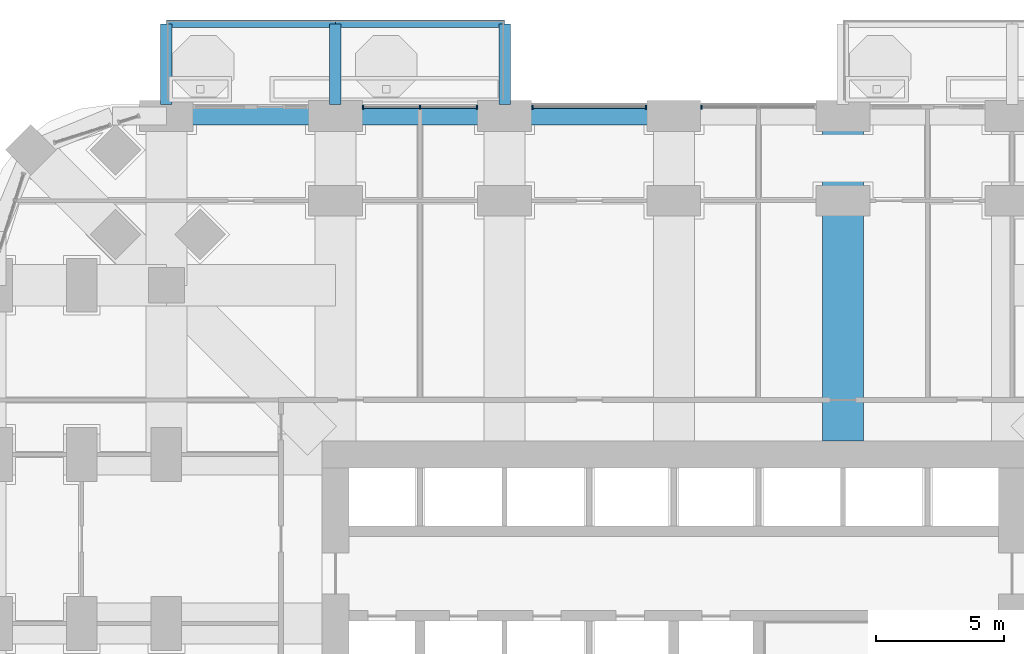
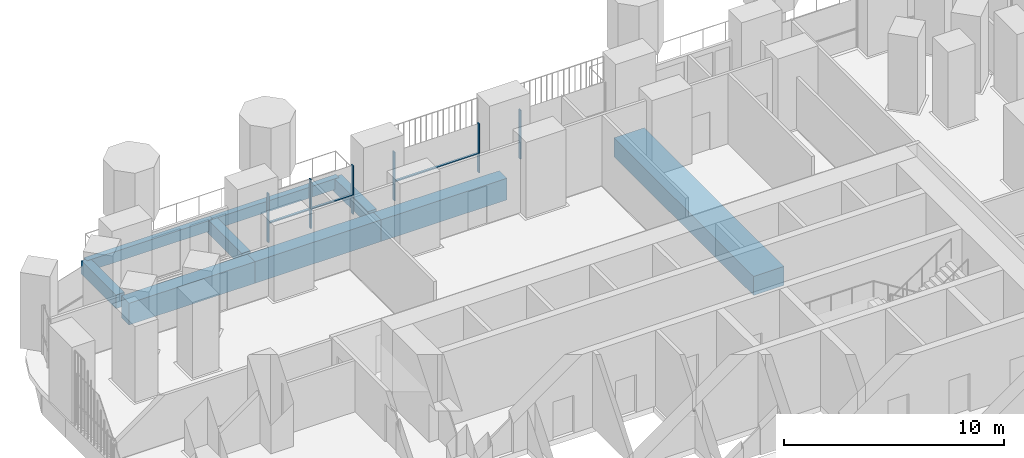
# One storey, part 8 of 27: 9 beams, 9 members, 3 elements without a shape of their own.
"""IFC4 building model written with IfcOpenShell, lengths in metres."""

import ifcopenshell
import ifcopenshell.guid

model = None  # the IFC model being written
_history = None  # IfcOwnerHistory: only IFC2X3 demands one
_inside = {}  # id of a spatial element -> (the spatial element, [elements in it])
_under = {}  # id of a project, library or spatial element -> (it, [spatial elements below it])
_declared = {}  # id of a project -> (the project, [libraries it declares])
_typed = {}  # id of a type object -> (the type object, [elements of that type])
_made_of = {}  # id of a material, layer set ... -> (it, [elements and type objects made of it])


def new_model(schema):
    """Start an empty IFC model of exactly this schema.

    Asked for "IFC4X3", IfcOpenShell would pick the latest addendum, in which some entities
    have other attributes; the version numbers below select the first issue.
    IFC2X3 requires an IfcOwnerHistory on every rooted entity: one is made here for all.
    """
    global model, _history
    if schema == "IFC4X3":
        model = ifcopenshell.file(schema_version=(4, 3, 0, 0))
    else:
        model = ifcopenshell.file(schema=schema)
    _inside.clear()
    _under.clear()
    _declared.clear()
    _typed.clear()
    _made_of.clear()
    _history = None
    if model.schema == "IFC2X3":
        org = make("IfcOrganization", Name="unknown")
        user = make(
            "IfcPersonAndOrganization",
            ThePerson=make("IfcPerson", FamilyName="unknown"),
            TheOrganization=org,
        )
        app = make(
            "IfcApplication",
            ApplicationDeveloper=org,
            Version="unknown",
            ApplicationFullName="unknown",
            ApplicationIdentifier="unknown",
        )
        _history = make(
            "IfcOwnerHistory",
            OwningUser=user,
            OwningApplication=app,
            ChangeAction="ADDED",
            CreationDate=0,
        )
    return model


def make(cls, **values):
    """One entity of the class cls with the attributes given. An attribute that is None is left unset."""
    return model.create_entity(
        cls, **{name: value for name, value in values.items() if value is not None}
    )


def rooted(cls, **values):
    """An entity with a GlobalId (a new one), such as an element, a storey or a relation."""
    return make(cls, GlobalId=ifcopenshell.guid.new(), OwnerHistory=_history, **values)


def si_unit(unit_type, name, prefix=None):
    """IfcSIUnit, for example si_unit("LENGTHUNIT", "METRE", prefix="MILLI")."""
    return make("IfcSIUnit", UnitType=unit_type, Prefix=prefix, Name=name)


def assignment(units):
    """IfcUnitAssignment: the units of a project."""
    return None if units is None else make("IfcUnitAssignment", Units=units)


def point(xyz):
    """IfcCartesianPoint."""
    return None if xyz is None else make("IfcCartesianPoint", Coordinates=xyz)


def direction(xyz):
    """IfcDirection."""
    return None if xyz is None else make("IfcDirection", DirectionRatios=xyz)


def frame(location, z_axis=None, x_axis=None):
    """IfcAxis2Placement3D, a coordinate frame: its origin and axes. An axis left out is left unset."""
    return make(
        "IfcAxis2Placement3D",
        Location=point(location),
        Axis=direction(z_axis),
        RefDirection=direction(x_axis),
    )


def frame_2d(location, x_axis=None):
    """IfcAxis2Placement2D, a coordinate frame in the plane: its origin and x axis."""
    return make(
        "IfcAxis2Placement2D", Location=point(location), RefDirection=direction(x_axis)
    )


def origin():
    """The frame at (0, 0, 0) with its axes left unset."""
    return frame((0.0, 0.0, 0.0))


def origin_2d():
    """The frame at (0, 0) in the plane with its x axis left unset."""
    return frame_2d((0.0, 0.0))


def place(relative_to, where):
    """IfcLocalPlacement: puts the frame where relative to a parent placement (None: the world)."""
    return make(
        "IfcLocalPlacement", PlacementRelTo=relative_to, RelativePlacement=where
    )


def context(
    kind, dimensions, precision=None, world=None, true_north=None, identifier=None
):
    """IfcGeometricRepresentationContext, for example the 3D "Model" context."""
    return make(
        "IfcGeometricRepresentationContext",
        ContextIdentifier=identifier,
        ContextType=kind,
        CoordinateSpaceDimension=dimensions,
        Precision=precision,
        WorldCoordinateSystem=world,
        TrueNorth=true_north,
    )


def subcontext(parent, identifier, kind, view, scale=None):
    """IfcGeometricRepresentationSubContext, for example "Body" below "Model"."""
    return make(
        "IfcGeometricRepresentationSubContext",
        ContextIdentifier=identifier,
        ContextType=kind,
        ParentContext=parent,
        TargetScale=scale,
        TargetView=view,
    )


def project(units=None, contexts=None):
    """IfcProject with its units and contexts."""
    return rooted(
        "IfcProject",
        Name="project",
        RepresentationContexts=contexts,
        UnitsInContext=assignment(units),
    )


def spatial(cls, under=None, at=None, **own):
    """A site, building, storey or space (cls), placed at a placement, below another one or the project."""
    s = rooted(cls, ObjectPlacement=at, **own)
    if under is not None:
        _under.setdefault(under.id(), (under, []))[1].append(s)
    return s


def profile(cls, at=None, kind="AREA", **sizes):
    """A parametric profile (cls). Its sizes go by their IFC names, for example OverallWidth=200.0."""
    return make(cls, ProfileType=kind, Position=at, **sizes)


def rectangle(**sizes):
    """IfcRectangleProfileDef."""
    return profile("IfcRectangleProfileDef", **sizes)


def extrude(swept, where, along, depth):
    """IfcExtrudedAreaSolid: the profile swept, set in the frame where, extruded along a direction by depth."""
    return make(
        "IfcExtrudedAreaSolid",
        SweptArea=swept,
        Position=where,
        ExtrudedDirection=direction(along),
        Depth=depth,
    )


def shape(context_of_items, identifier, shape_type, items):
    """IfcShapeRepresentation: the items that make up one representation, for example the "Body"."""
    return make(
        "IfcShapeRepresentation",
        ContextOfItems=context_of_items,
        RepresentationIdentifier=identifier,
        RepresentationType=shape_type,
        Items=items,
    )


def material(Name=None, Category=None):
    """IfcMaterial."""
    return make("IfcMaterial", Name=Name, Category=Category)


def material_profile(
    of_material, cross_section, Name=None, Category=None, Priority=None
):
    """IfcMaterialProfile: a cross section and its material."""
    return make(
        "IfcMaterialProfile",
        Name=Name,
        Material=of_material,
        Profile=cross_section,
        Priority=Priority,
        Category=Category,
    )


def profile_set(profiles, Name=None, composite=None):
    """IfcMaterialProfileSet."""
    return make(
        "IfcMaterialProfileSet",
        Name=Name,
        MaterialProfiles=profiles,
        CompositeProfile=composite,
    )


def made_of(thing, what):
    """Note that an element or type object is made of a material, layer set ...; save() writes the relation."""
    if what is not None:
        _made_of.setdefault(what.id(), (what, []))[1].append(thing)
    return thing


def type_object(cls, material=None, **own):
    """A type object (cls), such as IfcWallType, which elements share."""
    return made_of(rooted(cls, **own), material)


def element(
    cls,
    number,
    at=None,
    inside=None,
    cuts=None,
    type_object=None,
    material=None,
    context=None,
    identifier="Body",
    shape_type=None,
    held_by="IfcProductDefinitionShape",
    body=None,
    shapes=None,
    **own,
):
    """One element of the class cls, such as IfcWall. Its Tag is "e" and its number.

    at: its placement. inside: the storey or other place that contains it. cuts: it is an
    opening in that element (IfcRelVoidsElement). A single representation is given by context,
    identifier, shape_type and body (its items); several are given by shapes. held_by: the class
    of the entity that holds the representations. save() writes the other relations.
    """
    e = rooted(cls, Tag="e%d" % number, ObjectPlacement=at, **own)
    if body is not None:
        shapes = [shape(context, identifier, shape_type, body)]
    if shapes is not None:
        e.Representation = make(held_by, Representations=shapes)
    if inside is not None:
        _inside.setdefault(inside.id(), (inside, []))[1].append(e)
    if cuts is not None:
        rooted(
            "IfcRelVoidsElement", RelatingBuildingElement=cuts, RelatedOpeningElement=e
        )
    if type_object is not None:
        _typed.setdefault(type_object.id(), (type_object, []))[1].append(e)
    return made_of(e, material)


def aggregate(whole, parts):
    """IfcRelAggregates: a whole, such as a stair, and the parts it consists of."""
    return rooted("IfcRelAggregates", RelatingObject=whole, RelatedObjects=parts)


def save(model, path):
    """Write the relations noted so far, then the file.

    IfcRelAggregates (storeys below a building ...), IfcRelContainedInSpatialStructure (elements
    in a storey), IfcRelDefinesByType, IfcRelAssociatesMaterial and IfcRelDeclares: one each for
    every whole, place, type object, material and project.
    """
    for whole, parts in _under.values():
        aggregate(whole, parts)
    for where, things in _inside.values():
        rooted(
            "IfcRelContainedInSpatialStructure",
            RelatedElements=things,
            RelatingStructure=where,
        )
    for kind, things in _typed.values():
        rooted("IfcRelDefinesByType", RelatedObjects=things, RelatingType=kind)
    for what, things in _made_of.values():
        rooted("IfcRelAssociatesMaterial", RelatedObjects=things, RelatingMaterial=what)
    for by, libraries in _declared.values():
        rooted("IfcRelDeclares", RelatingContext=by, RelatedDefinitions=libraries)
    model.write(path)


model = new_model("IFC4")

# Units and contexts
model_context = context("Model", 3, precision=1e-05, world=origin(), true_north=direction((0.0, 1.0)))
body_context = subcontext(model_context, "Body", "Model", "MODEL_VIEW")
ifc_project = project(units=[si_unit("LENGTHUNIT", "METRE"), si_unit("AREAUNIT", "SQUARE_METRE"), si_unit("VOLUMEUNIT", "CUBIC_METRE"), si_unit("PLANEANGLEUNIT", "RADIAN"), si_unit("MASSUNIT", "GRAM", prefix="KILO")], contexts=[model_context])

# Site, building, storey
site_placement = place(None, origin())
site = spatial("IfcSite", under=ifc_project, at=site_placement, CompositionType="ELEMENT")
building_placement = place(site_placement, origin())
building = spatial("IfcBuilding", under=site, at=building_placement, Name="Cobogo Forest Laboratory Tower", CompositionType="ELEMENT")
storey_placement = place(building_placement, frame((0.0, 0.0, 54.89990234375)))
storey = spatial("IfcBuildingStorey", under=building, at=storey_placement, Name="L12", CompositionType="ELEMENT", Elevation=54.89990234375)

# Beams
ifc_material_1 = material(Name="Concrete HA-40 (C40/50)", Category="concrete")
ifc_material_profile_1 = material_profile(ifc_material_1, rectangle(XDim=0.449951171875, YDim=0.75, at=origin_2d()), Name="RC 450x750")
ifc_profile_set_1 = profile_set([ifc_material_profile_1], Name="Concrete HA-40 (C40/50)")
beam_type_1 = type_object("IfcBeamType", Name="Balcony cantilever beam 450x750", PredefinedType="BEAM", material=ifc_profile_set_1)
for number, where, z_axis, x_axis, name in (
    (1, (6.60009765625, 46.64990234375, -0.625), (0.0, 1.0, 0.0), (-1.0, 0.0, 0.0), "CB1 BAL-N1-C1 L12"),
    (2, (13.199951171875, 46.64990234375, -0.625), (0.0, 1.0, 0.0), (-1.0, 0.0, 0.0), "CB1 BAL-N1-C2 L12"),
    (3, (19.800048828125, 46.64990234375, -0.625), (0.0, 1.0, 0.0), (-1.0, 0.0, 0.0), "CB1 BAL-N1-C3 L12"),
):
    element("IfcBeam", number, at=place(storey_placement, frame(where, z_axis=z_axis, x_axis=x_axis)), inside=storey, type_object=beam_type_1, Name=name, PredefinedType="BEAM", context=body_context, shape_type="SweptSolid", body=[
        extrude(rectangle(XDim=0.449951171875, YDim=0.75, at=origin_2d()), origin(), (0.0, 0.0, 1.0), 3.150146484375),
    ])
ifc_material_profile_2 = material_profile(ifc_material_1, rectangle(XDim=0.300048828125, YDim=0.60009765625, at=origin_2d()), Name="RC 300x600")
ifc_profile_set_2 = profile_set([ifc_material_profile_2], Name="Concrete HA-40 (C40/50)")
beam_type_2 = type_object("IfcBeamType", Name="Balcony edge beam 300x600", PredefinedType="BEAM", material=ifc_profile_set_2)
beam_1_placement = place(storey_placement, frame((6.60009765625, 49.800048828125, -0.5498046875), z_axis=(1.0, 0.0, 0.0), x_axis=(0.0, 1.0, 0.0)))
element("IfcBeam", 4, at=beam_1_placement, inside=storey, type_object=beam_type_2, Name="BB1 BAL-N1-T1 L12", PredefinedType="BEAM", context=body_context, shape_type="SweptSolid", body=[
    extrude(rectangle(XDim=0.300048828125, YDim=0.60009765625, at=origin_2d()), origin(), (0.0, 0.0, 1.0), 6.599853515625),
])
beam_2_placement = place(storey_placement, frame((13.199951171875, 49.800048828125, -0.5498046875), z_axis=(1.0, 0.0, 0.0), x_axis=(0.0, 1.0, 0.0)))
element("IfcBeam", 5, at=beam_2_placement, inside=storey, type_object=beam_type_2, Name="BB1 BAL-N1-T2 L12", PredefinedType="BEAM", context=body_context, shape_type="SweptSolid", body=[
    extrude(rectangle(XDim=0.300048828125, YDim=0.60009765625, at=origin_2d()), origin(), (0.0, 0.0, 1.0), 6.60009765625),
])
ifc_material_2 = material(Name="Concrete HA-50 (C50/60)", Category="concrete")
ifc_material_profile_3 = material_profile(ifc_material_2, rectangle(XDim=1.60009765625, YDim=1.050048828125, at=origin_2d()), Name="RC 1600x1050")
ifc_profile_set_3 = profile_set([ifc_material_profile_3], Name="Concrete HA-50 (C50/60)")
beam_type_3 = type_object("IfcBeamType", Name="Laboratory floor wide beam 1600x1050", PredefinedType="BEAM", material=ifc_profile_set_3)
beam_3_placement = place(storey_placement, frame((33.0, 33.52490234375, -0.824951171875), z_axis=(0.0, 1.0, 0.0), x_axis=(-1.0, 0.0, 0.0)))
element("IfcBeam", 6, at=beam_3_placement, inside=storey, type_object=beam_type_3, Name="RB8 R-6-N L12", PredefinedType="BEAM", context=body_context, shape_type="SweptSolid", body=[
    extrude(rectangle(XDim=1.60009765625, YDim=1.050048828125, at=origin_2d()), origin(), (0.0, 0.0, 1.0), 12.675048828125),
])

# Curtain wall, member
ifc_material_3 = material(Name="Aluminium curtain wall", Category="aluminium")
curtain_wall_type = type_object("IfcCurtainWallType", Name="CW-1 unitised curtain wall, clear glazing, laboratory floors zones A and B", PredefinedType="USERDEFINED", material=ifc_material_3)
curtain_wall_1_placement = place(storey_placement, origin())
curtain_wall_1 = element("IfcCurtainWall", 7, at=curtain_wall_1_placement, inside=storey, type_object=curtain_wall_type, Name="Curtain wall 20 L12", ObjectType="UNITISED CURTAIN WALL", PredefinedType="USERDEFINED")
ifc_material_4 = material(Name="Aluminium mullion", Category="aluminium")
ifc_material_profile_4 = material_profile(ifc_material_4, rectangle(XDim=0.06005859375, YDim=0.159912109375, at=origin_2d()), Name="AL 60x160")
ifc_profile_set_4 = profile_set([ifc_material_profile_4], Name="Aluminium mullion")
member_type_1 = type_object("IfcMemberType", Name="MU-1 aluminium mullion 60x160", PredefinedType="MULLION", material=ifc_profile_set_4)
member_1_placement = place(storey_placement, frame((27.47998046875, 46.550048828125, 0.0), z_axis=(0.0, 0.0, 1.0), x_axis=(-1.0, 0.0, 0.0)))
member_1 = element("IfcMember", 8, at=member_1_placement, type_object=member_type_1, Name="CW-1 mullion 3", PredefinedType="MULLION", context=body_context, shape_type="SweptSolid", body=[
    extrude(rectangle(XDim=0.06005859375, YDim=0.159912109375, at=origin_2d()), origin(), (0.0, 0.0, 1.0), 2.7001953125),
])
aggregate(curtain_wall_1, [member_1])

# Curtain wall, members
curtain_wall_2_placement = place(storey_placement, origin())
curtain_wall_2 = element("IfcCurtainWall", 9, at=curtain_wall_2_placement, inside=storey, type_object=curtain_wall_type, Name="Curtain wall 21 L12", ObjectType="UNITISED CURTAIN WALL", PredefinedType="USERDEFINED")
member_2_placement = place(storey_placement, frame((25.320068359375, 46.550048828125, 0.0), z_axis=(0.0, 0.0, 1.0), x_axis=(-1.0, 0.0, 0.0)))
member_2 = element("IfcMember", 10, at=member_2_placement, type_object=member_type_1, Name="CW-1 mullion 1", PredefinedType="MULLION", context=body_context, shape_type="SweptSolid", body=[
    extrude(rectangle(XDim=0.06005859375, YDim=0.159912109375, at=origin_2d()), origin(), (0.0, 0.0, 1.0), 2.7001953125),
])
member_3_placement = place(storey_placement, frame((20.8798828125, 46.550048828125, 0.0), z_axis=(0.0, 0.0, 1.0), x_axis=(-1.0, 0.0, 0.0)))
member_3 = element("IfcMember", 11, at=member_3_placement, type_object=member_type_1, Name="CW-1 mullion 2", PredefinedType="MULLION", context=body_context, shape_type="SweptSolid", body=[
    extrude(rectangle(XDim=0.06005859375, YDim=0.159912109375, at=origin_2d()), origin(), (0.0, 0.0, 1.0), 2.7001953125),
])

curtain_wall_3_placement = place(storey_placement, origin())
curtain_wall_3 = element("IfcCurtainWall", 12, at=curtain_wall_3_placement, inside=storey, type_object=curtain_wall_type, Name="Curtain wall 22 L12", ObjectType="UNITISED CURTAIN WALL", PredefinedType="USERDEFINED")
member_4_placement = place(storey_placement, frame((18.719970703125, 46.550048828125, 0.0), z_axis=(0.0, 0.0, 1.0), x_axis=(-1.0, 0.0, 0.0)))
member_4 = element("IfcMember", 13, at=member_4_placement, type_object=member_type_1, Name="CW-1 mullion 1", PredefinedType="MULLION", context=body_context, shape_type="SweptSolid", body=[
    extrude(rectangle(XDim=0.06005859375, YDim=0.159912109375, at=origin_2d()), origin(), (0.0, 0.0, 1.0), 2.7001953125),
])
member_5_placement = place(storey_placement, frame((16.5, 46.550048828125, 0.0), z_axis=(0.0, 0.0, 1.0), x_axis=(-1.0, 0.0, 0.0)))
member_5 = element("IfcMember", 14, at=member_5_placement, type_object=member_type_1, Name="CW-1 mullion 2", PredefinedType="MULLION", context=body_context, shape_type="SweptSolid", body=[
    extrude(rectangle(XDim=0.06005859375, YDim=0.159912109375, at=origin_2d()), origin(), (0.0, 0.0, 1.0), 2.7001953125),
])
member_6_placement = place(storey_placement, frame((14.280029296875, 46.550048828125, 0.0), z_axis=(0.0, 0.0, 1.0), x_axis=(-1.0, 0.0, 0.0)))
member_6 = element("IfcMember", 15, at=member_6_placement, type_object=member_type_1, Name="CW-1 mullion 3", PredefinedType="MULLION", context=body_context, shape_type="SweptSolid", body=[
    extrude(rectangle(XDim=0.06005859375, YDim=0.159912109375, at=origin_2d()), origin(), (0.0, 0.0, 1.0), 2.7001953125),
])

# Beams
ifc_material_profile_5 = material_profile(ifc_material_1, rectangle(XDim=0.699951171875, YDim=1.199951171875, at=origin_2d()), Name="RC 700x1200")
ifc_profile_set_5 = profile_set([ifc_material_profile_5], Name="Concrete HA-40 (C40/50)")
beam_type_4 = type_object("IfcBeamType", Name="Perimeter edge beam 700x1200", PredefinedType="BEAM", material=ifc_profile_set_5)
beam_4_placement = place(storey_placement, frame((6.60009765625, 46.199951171875, -0.89990234375), z_axis=(1.0, 0.0, 0.0), x_axis=(0.0, 1.0, 0.0)))
element("IfcBeam", 16, at=beam_4_placement, inside=storey, type_object=beam_type_4, Name="EB1 E-N1 L12", PredefinedType="BEAM", context=body_context, shape_type="SweptSolid", body=[
    extrude(rectangle(XDim=0.699951171875, YDim=1.199951171875, at=origin_2d()), origin(), (0.0, 0.0, 1.0), 6.599853515625),
])
beam_5_placement = place(storey_placement, frame((13.199951171875, 46.199951171875, -0.89990234375), z_axis=(1.0, 0.0, 0.0), x_axis=(0.0, 1.0, 0.0)))
element("IfcBeam", 17, at=beam_5_placement, inside=storey, type_object=beam_type_4, Name="EB1 E-N2 L12", PredefinedType="BEAM", context=body_context, shape_type="SweptSolid", body=[
    extrude(rectangle(XDim=0.699951171875, YDim=1.199951171875, at=origin_2d()), origin(), (0.0, 0.0, 1.0), 6.60009765625),
])
beam_6_placement = place(storey_placement, frame((19.800048828125, 46.199951171875, -0.89990234375), z_axis=(1.0, 0.0, 0.0), x_axis=(0.0, 1.0, 0.0)))
element("IfcBeam", 18, at=beam_6_placement, inside=storey, type_object=beam_type_4, Name="EB1 E-N3 L12", PredefinedType="BEAM", context=body_context, shape_type="SweptSolid", body=[
    extrude(rectangle(XDim=0.699951171875, YDim=1.199951171875, at=origin_2d()), origin(), (0.0, 0.0, 1.0), 6.599853515625),
])

# Member
ifc_material_5 = material(Name="Aluminium transom", Category="aluminium")
ifc_material_profile_6 = material_profile(ifc_material_5, rectangle(XDim=0.1201171875, YDim=0.06005859375, at=origin_2d()), Name="AL 60x120")
ifc_profile_set_6 = profile_set([ifc_material_profile_6], Name="Aluminium transom")
member_type_2 = type_object("IfcMemberType", Name="TR-1 aluminium transom 60x120", PredefinedType="USERDEFINED", material=ifc_profile_set_6)
member_7_placement = place(storey_placement, frame((25.2900390625, 46.550048828125, 1.050048828125), z_axis=(-1.0, 0.0, 0.0), x_axis=(0.0, -1.0, 0.0)))
member_7 = element("IfcMember", 19, at=member_7_placement, type_object=member_type_2, Name="CW-1 transom 1.1", ObjectType="TRANSOM", PredefinedType="USERDEFINED", context=body_context, shape_type="SweptSolid", body=[
    extrude(rectangle(XDim=0.1201171875, YDim=0.06005859375, at=origin_2d()), origin(), (0.0, 0.0, 1.0), 4.380126953125),
])

aggregate(curtain_wall_2, [member_2, member_3, member_7])

member_8_placement = place(storey_placement, frame((18.68994140625, 46.550048828125, 1.050048828125), z_axis=(-1.0, 0.0, 0.0), x_axis=(0.0, -1.0, 0.0)))
member_8 = element("IfcMember", 20, at=member_8_placement, type_object=member_type_2, Name="CW-1 transom 1.1", ObjectType="TRANSOM", PredefinedType="USERDEFINED", context=body_context, shape_type="SweptSolid", body=[
    extrude(rectangle(XDim=0.1201171875, YDim=0.06005859375, at=origin_2d()), origin(), (0.0, 0.0, 1.0), 2.159912109375),
])

member_9_placement = place(storey_placement, frame((16.469970703125, 46.550048828125, 1.050048828125), z_axis=(-1.0, 0.0, 0.0), x_axis=(0.0, -1.0, 0.0)))
member_9 = element("IfcMember", 21, at=member_9_placement, type_object=member_type_2, Name="CW-1 transom 2.1", ObjectType="TRANSOM", PredefinedType="USERDEFINED", context=body_context, shape_type="SweptSolid", body=[
    extrude(rectangle(XDim=0.1201171875, YDim=0.06005859375, at=origin_2d()), origin(), (0.0, 0.0, 1.0), 2.159912109375),
])

aggregate(curtain_wall_3, [member_4, member_5, member_6, member_8, member_9])

save(model, "model.ifc")
